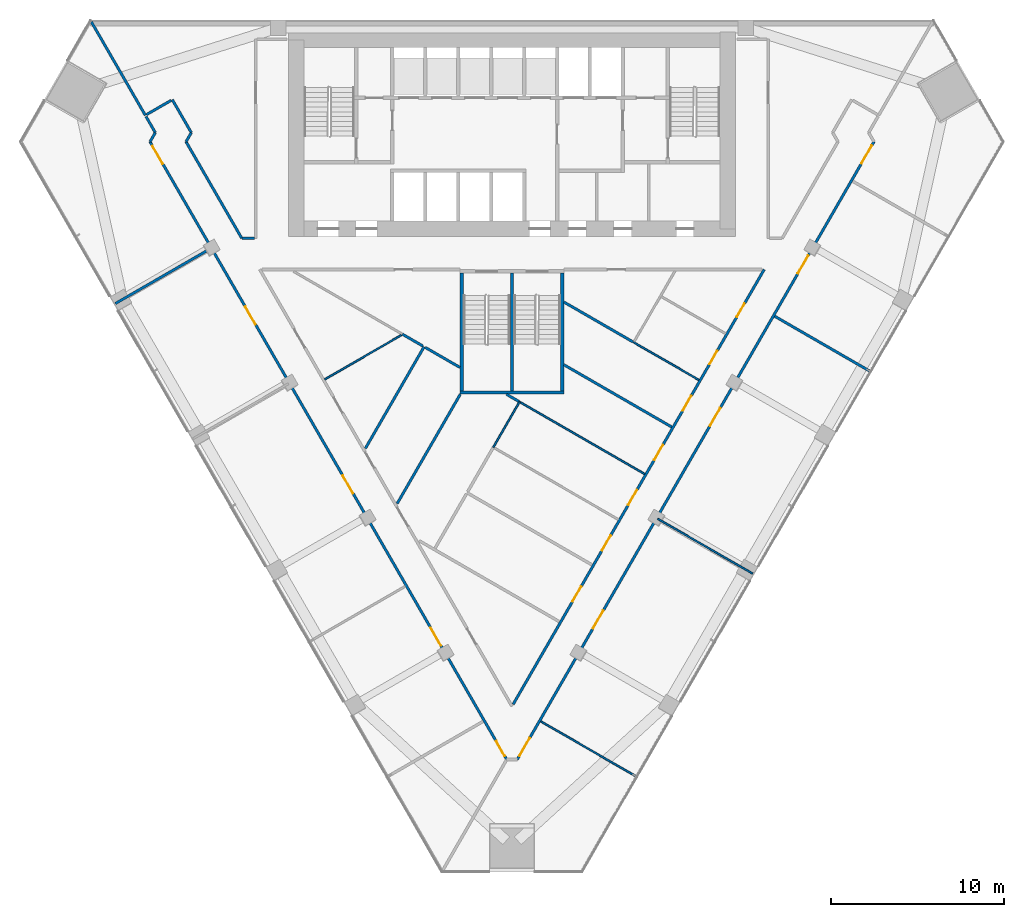
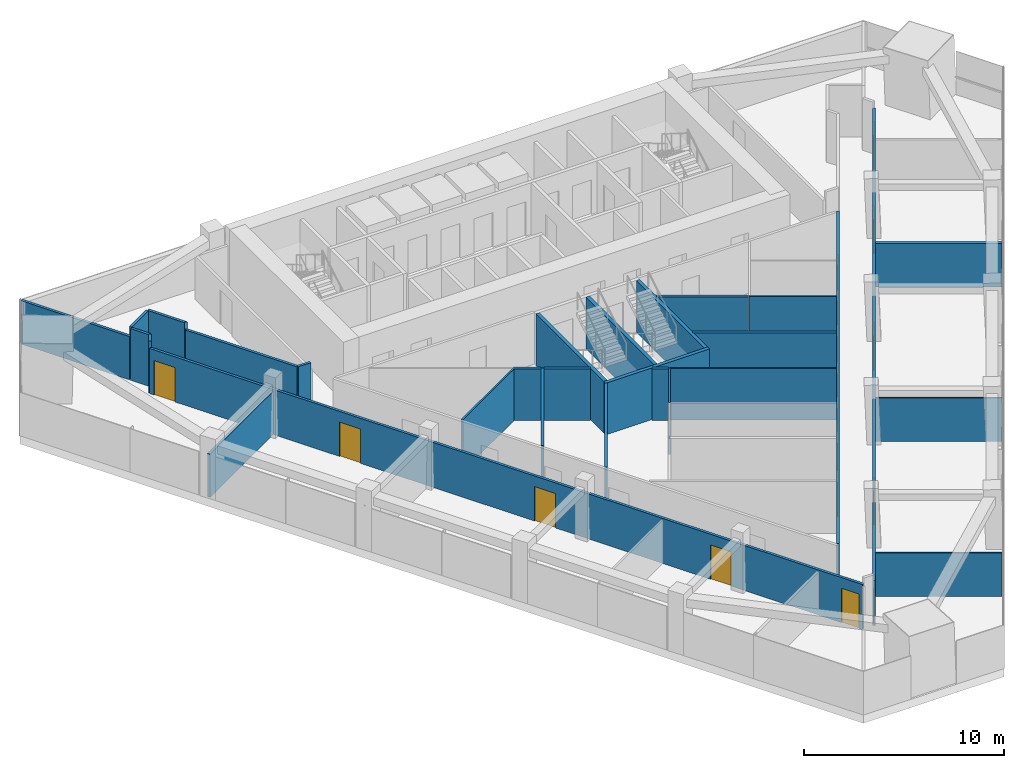
# One storey, part 9 of 14: 30 walls, 17 doors, 17 openings.
"""IFC4 building model written with IfcOpenShell, lengths in metres."""

from ifc_helpers import new_model, si_unit, direction, frame, frame_2d, origin, place, context, subcontext, project, spatial, rectangle, extrude, material, layer, layer_set, type_object, element, fill, save


model = new_model("IFC4")

# Units and contexts
model_context = context("Model", 3, precision=1e-05, world=origin(), true_north=direction((0.0, 1.0)))
body_context = subcontext(model_context, "Body", "Model", "MODEL_VIEW")
ifc_project = project(units=[si_unit("LENGTHUNIT", "METRE"), si_unit("AREAUNIT", "SQUARE_METRE"), si_unit("VOLUMEUNIT", "CUBIC_METRE"), si_unit("PLANEANGLEUNIT", "RADIAN"), si_unit("MASSUNIT", "GRAM", prefix="KILO")], contexts=[model_context])

# Site, building, storey
site_placement = place(None, origin())
site = spatial("IfcSite", under=ifc_project, at=site_placement, CompositionType="ELEMENT")
building_placement = place(site_placement, origin())
building = spatial("IfcBuilding", under=site, at=building_placement, Name="Altiplano Prism Tower", CompositionType="ELEMENT")
storey_placement = place(building_placement, frame((0.0, 0.0, 115.199951171875)))
storey = spatial("IfcBuildingStorey", under=building, at=storey_placement, Name="L29", CompositionType="ELEMENT", Elevation=115.199951171875)

# Walls
ifc_material_1 = material(Name="Plasterboard on steel stud", Category="steel")
ifc_layer_1 = layer(ifc_material_1, 0.10009765625)
ifc_layer_set_1 = layer_set([ifc_layer_1], Name="Plasterboard on steel stud")
wall_type_1 = type_object("IfcWallType", Name="Partition 100 wet", PredefinedType="PARTITIONING", material=ifc_layer_set_1)
wall_1_placement = place(storey_placement, frame((92.010498046875, 86.40380859375, 0.0), z_axis=(0.0, 0.0, 1.0), x_axis=(0.866029912563, -0.499992190486, 0.0)))
element("IfcWall", 1, at=wall_1_placement, inside=storey, type_object=wall_type_1, Name="Partition P03 L29 028", PredefinedType="PARTITIONING", context=body_context, shape_type="SweptSolid", body=[
    extrude(rectangle(XDim=4.361328125, YDim=0.10009765625, at=frame_2d((2.1806640625, 0.0))), origin(), (0.0, 0.0, 1.0), 3.150146484375),
])
wall_2_placement = place(storey_placement, frame((78.6162109375, 86.8115234375, 0.0), z_axis=(0.0, 0.0, 1.0), x_axis=(-0.866025600969, -0.499999658466, 0.0)))
element("IfcWall", 2, at=wall_2_placement, inside=storey, type_object=wall_type_1, Name="Partition P03 L29 031", PredefinedType="PARTITIONING", context=body_context, shape_type="SweptSolid", body=[
    extrude(rectangle(XDim=5.10791015625, YDim=0.10009765625, at=frame_2d((2.553955078125, 0.0))), origin(), (0.0, 0.0, 1.0), 3.150146484375),
])
for number, where, z_axis, x_axis, name in (
    (3, (92.14013671875, 61.35595703125, 0.0), (0.0, 0.0, 1.0), (-0.866032601554, 0.49998753289, 0.0), "Partition P03 L29 039"),
    (4, (98.89013671875, 73.04736328125, 0.0), (0.0, 0.0, 1.0), (-0.866032601554, 0.49998753289, 0.0), "Partition P03 L29 040"),
):
    element("IfcWall", number, at=place(storey_placement, frame(where, z_axis=z_axis, x_axis=x_axis)), inside=storey, type_object=wall_type_1, Name=name, PredefinedType="PARTITIONING", context=body_context, shape_type="SweptSolid", body=[
        extrude(rectangle(XDim=6.324951171875, YDim=0.10009765625, at=frame_2d((3.16259765625, 0.0))), origin(), (0.0, 0.0, 1.0), 2.650146484375),
    ])
wall_3_placement = place(storey_placement, frame((83.922119140625, 80.33740234375, 0.0), z_axis=(0.0, 0.0, 1.0), x_axis=(0.499996899167, 0.866027194044, 0.0)))
element("IfcWall", 5, at=wall_3_placement, inside=storey, type_object=wall_type_1, Name="Partition P03 L29 047", PredefinedType="PARTITIONING", context=body_context, shape_type="SweptSolid", body=[
    extrude(rectangle(XDim=3.02880859375, YDim=0.10009765625, at=frame_2d((1.514404296875, 0.0))), origin(), (0.0, 0.0, 1.0), 3.150146484375),
])
wall_4_placement = place(storey_placement, frame((92.653076171875, 78.794189453125, 0.0), z_axis=(0.0, 0.0, 1.0), x_axis=(-0.866036648346, 0.499980523342, 0.0)))
element("IfcWall", 6, at=wall_4_placement, inside=storey, type_object=wall_type_1, Name="Partition P03 L29 055", PredefinedType="PARTITIONING", context=body_context, shape_type="SweptSolid", body=[
    extrude(rectangle(XDim=8.352783203125, YDim=0.10009765625, at=frame_2d((4.17626953125, 0.0))), origin(), (0.0, 0.0, 1.0), 3.150146484375),
])

# Wall, openings, doors
ifc_layer_2 = layer(ifc_material_1, 0.14990234375)
ifc_layer_set_2 = layer_set([ifc_layer_2], Name="Plasterboard on steel stud")
wall_type_2 = type_object("IfcWallType", Name="Partition 150 corridor", PredefinedType="PARTITIONING", material=ifc_layer_set_2)
wall_5_placement = place(storey_placement, frame((99.5556640625, 90.60009765625, 0.0), z_axis=(0.0, 0.0, 1.0), x_axis=(-0.499996876233, -0.866027207284, 0.0)))
wall_5 = element("IfcWall", 7, at=wall_5_placement, inside=storey, type_object=wall_type_2, Name="Partition P06 L29 001", PredefinedType="PARTITIONING", context=body_context, shape_type="SweptSolid", body=[
    extrude(rectangle(XDim=28.981689453125, YDim=0.14990234375, at=frame_2d((14.49072265625, 0.0))), origin(), (0.0, 0.0, 1.0), 3.150146484375),
])
opening_1_placement = place(wall_5_placement, frame((2.260009765625, 0.0, 0.0)))
opening_1 = element("IfcOpeningElement", 8, at=opening_1_placement, cuts=wall_5, Name="Opening D1045", PredefinedType="OPENING", context=body_context, shape_type="SweptSolid", body=[
    extrude(rectangle(XDim=0.89990234375, YDim=2.10009765625, at=frame_2d((0.449951171875, 1.050048828125))), frame((0.0, 0.08544921875, 0.0), z_axis=(0.0, -1.0, 0.0), x_axis=(1.0, 0.0, 0.0)), (0.0, 0.0, 1.0), 0.1708984375),
])
opening_2_placement = place(wall_5_placement, frame((5.4150390625, 0.0, 0.0)))
opening_2 = element("IfcOpeningElement", 9, at=opening_2_placement, cuts=wall_5, Name="Opening D1046", PredefinedType="OPENING", context=body_context, shape_type="SweptSolid", body=[
    extrude(rectangle(XDim=0.89990234375, YDim=2.10009765625, at=frame_2d((0.449951171875, 1.050048828125))), frame((0.0, 0.08544921875, 0.0), z_axis=(0.0, -1.0, 0.0), x_axis=(1.0, 0.0, 0.0)), (0.0, 0.0, 1.0), 0.1708984375),
])
opening_3_placement = place(wall_5_placement, frame((21.1240234375, 0.0, 0.0)))
opening_3 = element("IfcOpeningElement", 10, at=opening_3_placement, cuts=wall_5, Name="Opening D1061", PredefinedType="OPENING", context=body_context, shape_type="SweptSolid", body=[
    extrude(rectangle(XDim=1.0, YDim=2.10009765625, at=frame_2d((0.5, 1.050048828125))), frame((0.0, 0.08544921875, 0.0), z_axis=(0.0, -1.0, 0.0), x_axis=(1.0, 0.0, 0.0)), (0.0, 0.0, 1.0), 0.1708984375),
])
opening_4_placement = place(wall_5_placement, frame((8.416015625, 0.0, 0.0)))
opening_4 = element("IfcOpeningElement", 11, at=opening_4_placement, cuts=wall_5, Name="Opening D1065", PredefinedType="OPENING", context=body_context, shape_type="SweptSolid", body=[
    extrude(rectangle(XDim=1.0, YDim=2.10009765625, at=frame_2d((0.5, 1.050048828125))), frame((0.0, 0.08544921875, 0.0), z_axis=(0.0, -1.0, 0.0), x_axis=(1.0, 0.0, 0.0)), (0.0, 0.0, 1.0), 0.1708984375),
])
opening_5_placement = place(wall_5_placement, frame((14.68994140625, 0.0, 0.0)))
opening_5 = element("IfcOpeningElement", 12, at=opening_5_placement, cuts=wall_5, Name="Opening D1066", PredefinedType="OPENING", context=body_context, shape_type="SweptSolid", body=[
    extrude(rectangle(XDim=1.0, YDim=2.10009765625, at=frame_2d((0.5, 1.050048828125))), frame((0.0, 0.08544921875, 0.0), z_axis=(0.0, -1.0, 0.0), x_axis=(1.0, 0.0, 0.0)), (0.0, 0.0, 1.0), 0.1708984375),
])
opening_6_placement = place(wall_5_placement, frame((17.718994140625, 0.0, 0.0)))
opening_6 = element("IfcOpeningElement", 13, at=opening_6_placement, cuts=wall_5, Name="Opening D1067", PredefinedType="OPENING", context=body_context, shape_type="SweptSolid", body=[
    extrude(rectangle(XDim=1.0, YDim=2.10009765625, at=frame_2d((0.5, 1.050048828125))), frame((0.0, 0.08544921875, 0.0), z_axis=(0.0, -1.0, 0.0), x_axis=(1.0, 0.0, 0.0)), (0.0, 0.0, 1.0), 0.1708984375),
])
opening_7_placement = place(wall_5_placement, frame((11.68408203125, 0.0, 0.0)))
opening_7 = element("IfcOpeningElement", 14, at=opening_7_placement, cuts=wall_5, Name="Opening D1069", PredefinedType="OPENING", context=body_context, shape_type="SweptSolid", body=[
    extrude(rectangle(XDim=1.0, YDim=2.10009765625, at=frame_2d((0.5, 1.050048828125))), frame((0.0, 0.08544921875, 0.0), z_axis=(0.0, -1.0, 0.0), x_axis=(1.0, 0.0, 0.0)), (0.0, 0.0, 1.0), 0.1708984375),
])
ifc_material_2 = material(Name="Timber", Category="wood")
door_type_1 = type_object("IfcDoorType", Name="Room door 1000 x 2100", OperationType="NOTDEFINED", PredefinedType="NOTDEFINED", material=ifc_material_2)
door_1_placement = place(opening_3_placement, origin())
door_1 = element("IfcDoor", 15, at=door_1_placement, inside=storey, type_object=door_type_1, Name="Door D1061", OperationType="SINGLE_SWING_RIGHT", OverallHeight=2.10009765625, OverallWidth=1.0, PredefinedType="NOTDEFINED", context=body_context, shape_type="SweptSolid", body=[
    extrude(rectangle(XDim=1.0, YDim=2.10009765625, at=frame_2d((0.5, 1.050048828125))), frame((0.0, 0.02490234375, 0.0), z_axis=(0.0, -1.0, 0.0), x_axis=(1.0, 0.0, 0.0)), (0.0, 0.0, 1.0), 0.050048828125),
])
fill(opening_3, door_1)
door_2_placement = place(opening_5_placement, origin())
door_2 = element("IfcDoor", 16, at=door_2_placement, inside=storey, type_object=door_type_1, Name="Door D1066", OperationType="SINGLE_SWING_RIGHT", OverallHeight=2.10009765625, OverallWidth=1.0, PredefinedType="NOTDEFINED", context=body_context, shape_type="SweptSolid", body=[
    extrude(rectangle(XDim=1.0, YDim=2.10009765625, at=frame_2d((0.5, 1.050048828125))), frame((0.0, 0.02490234375, 0.0), z_axis=(0.0, -1.0, 0.0), x_axis=(1.0, 0.0, 0.0)), (0.0, 0.0, 1.0), 0.050048828125),
])
fill(opening_5, door_2)
door_3_placement = place(opening_7_placement, origin())
door_3 = element("IfcDoor", 17, at=door_3_placement, inside=storey, type_object=door_type_1, Name="Door D1069", OperationType="SINGLE_SWING_RIGHT", OverallHeight=2.10009765625, OverallWidth=1.0, PredefinedType="NOTDEFINED", context=body_context, shape_type="SweptSolid", body=[
    extrude(rectangle(XDim=1.0, YDim=2.10009765625, at=frame_2d((0.5, 1.050048828125))), frame((0.0, 0.02490234375, 0.0), z_axis=(0.0, -1.0, 0.0), x_axis=(1.0, 0.0, 0.0)), (0.0, 0.0, 1.0), 0.050048828125),
])
fill(opening_7, door_3)
door_type_2 = type_object("IfcDoorType", Name="Store door 1000 x 2100", OperationType="NOTDEFINED", PredefinedType="NOTDEFINED", material=ifc_material_2)
door_4_placement = place(opening_4_placement, origin())
door_4 = element("IfcDoor", 18, at=door_4_placement, inside=storey, type_object=door_type_2, Name="Door D1065", OperationType="SINGLE_SWING_LEFT", OverallHeight=2.10009765625, OverallWidth=1.0, PredefinedType="NOTDEFINED", context=body_context, shape_type="SweptSolid", body=[
    extrude(rectangle(XDim=1.0, YDim=2.10009765625, at=frame_2d((0.5, 1.050048828125))), frame((0.0, 0.02490234375, 0.0), z_axis=(0.0, -1.0, 0.0), x_axis=(1.0, 0.0, 0.0)), (0.0, 0.0, 1.0), 0.050048828125),
])
fill(opening_4, door_4)
door_5_placement = place(opening_6_placement, origin())
door_5 = element("IfcDoor", 19, at=door_5_placement, inside=storey, type_object=door_type_2, Name="Door D1067", OperationType="SINGLE_SWING_LEFT", OverallHeight=2.10009765625, OverallWidth=1.0, PredefinedType="NOTDEFINED", context=body_context, shape_type="SweptSolid", body=[
    extrude(rectangle(XDim=1.0, YDim=2.10009765625, at=frame_2d((0.5, 1.050048828125))), frame((0.0, 0.02490234375, 0.0), z_axis=(0.0, -1.0, 0.0), x_axis=(1.0, 0.0, 0.0)), (0.0, 0.0, 1.0), 0.050048828125),
])
fill(opening_6, door_5)
door_type_3 = type_object("IfcDoorType", Name="Toilet door 900 x 2100", OperationType="NOTDEFINED", PredefinedType="NOTDEFINED", material=ifc_material_2)
door_6_placement = place(opening_1_placement, origin())
door_6 = element("IfcDoor", 20, at=door_6_placement, inside=storey, type_object=door_type_3, Name="Door D1045", OperationType="SINGLE_SWING_RIGHT", OverallHeight=2.10009765625, OverallWidth=0.89990234375, PredefinedType="NOTDEFINED", context=body_context, shape_type="SweptSolid", body=[
    extrude(rectangle(XDim=0.89990234375, YDim=2.10009765625, at=frame_2d((0.449951171875, 1.050048828125))), frame((0.0, 0.02490234375, 0.0), z_axis=(0.0, -1.0, 0.0), x_axis=(1.0, 0.0, 0.0)), (0.0, 0.0, 1.0), 0.050048828125),
])
fill(opening_1, door_6)
door_7_placement = place(opening_2_placement, origin())
door_7 = element("IfcDoor", 21, at=door_7_placement, inside=storey, type_object=door_type_3, Name="Door D1046", OperationType="SINGLE_SWING_RIGHT", OverallHeight=2.10009765625, OverallWidth=0.89990234375, PredefinedType="NOTDEFINED", context=body_context, shape_type="SweptSolid", body=[
    extrude(rectangle(XDim=0.89990234375, YDim=2.10009765625, at=frame_2d((0.449951171875, 1.050048828125))), frame((0.0, 0.02490234375, 0.0), z_axis=(0.0, -1.0, 0.0), x_axis=(1.0, 0.0, 0.0)), (0.0, 0.0, 1.0), 0.050048828125),
])
fill(opening_2, door_7)

# Walls
wall_6_placement = place(storey_placement, frame((63.87353515625, 99.43505859375, 0.0), z_axis=(0.0, 0.0, 1.0), x_axis=(0.499957341738, -0.866050031143, 0.0)))
element("IfcWall", 22, at=wall_6_placement, inside=storey, type_object=wall_type_2, Name="Partition P06 L29 003", PredefinedType="PARTITIONING", context=body_context, shape_type="SweptSolid", body=[
    extrude(rectangle(XDim=1.07958984375, YDim=0.14990234375, at=frame_2d((0.539794921875, 0.0))), origin(), (0.0, 0.0, 1.0), 3.150146484375),
])
wall_7_placement = place(storey_placement, frame((64.413330078125, 98.5, 0.0), z_axis=(0.0, 0.0, 1.0), x_axis=(-0.499849787464, -0.866112111665, 0.0)))
element("IfcWall", 23, at=wall_7_placement, inside=storey, type_object=wall_type_2, Name="Partition P06 L29 004", PredefinedType="PARTITIONING", context=body_context, shape_type="SweptSolid", body=[
    extrude(rectangle(XDim=0.608642578125, YDim=0.14990234375, at=frame_2d((0.30419921875, 0.0))), origin(), (0.0, 0.0, 1.0), 3.150146484375),
])

# Wall, openings, doors
wall_8_placement = place(storey_placement, frame((64.109130859375, 97.972900390625, 0.0), z_axis=(0.0, 0.0, 1.0), x_axis=(0.499997402089, -0.866026903684, 0.0)))
wall_8 = element("IfcWall", 24, at=wall_8_placement, inside=storey, type_object=wall_type_2, Name="Partition P06 L29 005", PredefinedType="PARTITIONING", context=body_context, shape_type="SweptSolid", body=[
    extrude(rectangle(XDim=41.173095703125, YDim=0.14990234375, at=frame_2d((20.58642578125, 0.0))), origin(), (0.0, 0.0, 1.0), 2.75),
])
opening_8_placement = place(wall_8_placement, frame((0.27294921875, 0.0, 0.0)))
opening_8 = element("IfcOpeningElement", 25, at=opening_8_placement, cuts=wall_8, Name="Opening D1049", PredefinedType="OPENING", context=body_context, shape_type="SweptSolid", body=[
    extrude(rectangle(XDim=1.199951171875, YDim=2.10009765625, at=frame_2d((0.60009765625, 1.050048828125))), frame((0.0, 0.08544921875, 0.0), z_axis=(0.0, -1.0, 0.0), x_axis=(1.0, 0.0, 0.0)), (0.0, 0.0, 1.0), 0.1708984375),
])
opening_9_placement = place(wall_8_placement, frame((10.987060546875, 0.0, 0.0)))
opening_9 = element("IfcOpeningElement", 26, at=opening_9_placement, cuts=wall_8, Name="Opening D1050", PredefinedType="OPENING", context=body_context, shape_type="SweptSolid", body=[
    extrude(rectangle(XDim=1.199951171875, YDim=2.10009765625, at=frame_2d((0.60009765625, 1.050048828125))), frame((0.0, 0.08544921875, 0.0), z_axis=(0.0, -1.0, 0.0), x_axis=(1.0, 0.0, 0.0)), (0.0, 0.0, 1.0), 0.1708984375),
])
opening_10_placement = place(wall_8_placement, frame((22.237060546875, 0.0, 0.0)))
opening_10 = element("IfcOpeningElement", 27, at=opening_10_placement, cuts=wall_8, Name="Opening D1051", PredefinedType="OPENING", context=body_context, shape_type="SweptSolid", body=[
    extrude(rectangle(XDim=1.199951171875, YDim=2.10009765625, at=frame_2d((0.60009765625, 1.050048828125))), frame((0.0, 0.08544921875, 0.0), z_axis=(0.0, -1.0, 0.0), x_axis=(1.0, 0.0, 0.0)), (0.0, 0.0, 1.0), 0.1708984375),
])
opening_11_placement = place(wall_8_placement, frame((32.386962890625, 0.0, 0.0)))
opening_11 = element("IfcOpeningElement", 28, at=opening_11_placement, cuts=wall_8, Name="Opening D1052", PredefinedType="OPENING", context=body_context, shape_type="SweptSolid", body=[
    extrude(rectangle(XDim=1.199951171875, YDim=2.10009765625, at=frame_2d((0.60009765625, 1.050048828125))), frame((0.0, 0.08544921875, 0.0), z_axis=(0.0, -1.0, 0.0), x_axis=(1.0, 0.0, 0.0)), (0.0, 0.0, 1.0), 0.1708984375),
])
opening_12_placement = place(wall_8_placement, frame((39.949951171875, 0.0, 0.0)))
opening_12 = element("IfcOpeningElement", 29, at=opening_12_placement, cuts=wall_8, Name="Opening D1053", PredefinedType="OPENING", context=body_context, shape_type="SweptSolid", body=[
    extrude(rectangle(XDim=1.0, YDim=2.10009765625, at=frame_2d((0.5, 1.050048828125))), frame((0.0, 0.08544921875, 0.0), z_axis=(0.0, -1.0, 0.0), x_axis=(1.0, 0.0, 0.0)), (0.0, 0.0, 1.0), 0.1708984375),
])
door_8_placement = place(opening_12_placement, origin())
door_8 = element("IfcDoor", 30, at=door_8_placement, inside=storey, type_object=door_type_1, Name="Door D1053", OperationType="SINGLE_SWING_LEFT", OverallHeight=2.10009765625, OverallWidth=1.0, PredefinedType="NOTDEFINED", context=body_context, shape_type="SweptSolid", body=[
    extrude(rectangle(XDim=1.0, YDim=2.10009765625, at=frame_2d((0.5, 1.050048828125))), frame((0.0, 0.02490234375, 0.0), z_axis=(0.0, -1.0, 0.0), x_axis=(1.0, 0.0, 0.0)), (0.0, 0.0, 1.0), 0.050048828125),
])
fill(opening_12, door_8)
door_type_4 = type_object("IfcDoorType", Name="Shared room door 1200 x 2100", OperationType="NOTDEFINED", PredefinedType="NOTDEFINED", material=ifc_material_2)
door_9_placement = place(opening_8_placement, origin())
door_9 = element("IfcDoor", 31, at=door_9_placement, inside=storey, type_object=door_type_4, Name="Door D1049", OperationType="SINGLE_SWING_LEFT", OverallHeight=2.10009765625, OverallWidth=1.199951171875, PredefinedType="NOTDEFINED", context=body_context, shape_type="SweptSolid", body=[
    extrude(rectangle(XDim=1.199951171875, YDim=2.10009765625, at=frame_2d((0.60009765625, 1.050048828125))), frame((0.0, 0.02490234375, 0.0), z_axis=(0.0, -1.0, 0.0), x_axis=(1.0, 0.0, 0.0)), (0.0, 0.0, 1.0), 0.050048828125),
])
fill(opening_8, door_9)
door_10_placement = place(opening_9_placement, origin())
door_10 = element("IfcDoor", 32, at=door_10_placement, inside=storey, type_object=door_type_4, Name="Door D1050", OperationType="SINGLE_SWING_RIGHT", OverallHeight=2.10009765625, OverallWidth=1.199951171875, PredefinedType="NOTDEFINED", context=body_context, shape_type="SweptSolid", body=[
    extrude(rectangle(XDim=1.199951171875, YDim=2.10009765625, at=frame_2d((0.60009765625, 1.050048828125))), frame((0.0, 0.02490234375, 0.0), z_axis=(0.0, -1.0, 0.0), x_axis=(1.0, 0.0, 0.0)), (0.0, 0.0, 1.0), 0.050048828125),
])
fill(opening_9, door_10)
door_11_placement = place(opening_10_placement, origin())
door_11 = element("IfcDoor", 33, at=door_11_placement, inside=storey, type_object=door_type_4, Name="Door D1051", OperationType="SINGLE_SWING_RIGHT", OverallHeight=2.10009765625, OverallWidth=1.199951171875, PredefinedType="NOTDEFINED", context=body_context, shape_type="SweptSolid", body=[
    extrude(rectangle(XDim=1.199951171875, YDim=2.10009765625, at=frame_2d((0.60009765625, 1.050048828125))), frame((0.0, 0.02490234375, 0.0), z_axis=(0.0, -1.0, 0.0), x_axis=(1.0, 0.0, 0.0)), (0.0, 0.0, 1.0), 0.050048828125),
])
fill(opening_10, door_11)
door_12_placement = place(opening_11_placement, origin())
door_12 = element("IfcDoor", 34, at=door_12_placement, inside=storey, type_object=door_type_4, Name="Door D1052", OperationType="SINGLE_SWING_RIGHT", OverallHeight=2.10009765625, OverallWidth=1.199951171875, PredefinedType="NOTDEFINED", context=body_context, shape_type="SweptSolid", body=[
    extrude(rectangle(XDim=1.199951171875, YDim=2.10009765625, at=frame_2d((0.60009765625, 1.050048828125))), frame((0.0, 0.02490234375, 0.0), z_axis=(0.0, -1.0, 0.0), x_axis=(1.0, 0.0, 0.0)), (0.0, 0.0, 1.0), 0.050048828125),
])
fill(opening_11, door_12)

wall_9_placement = place(storey_placement, frame((85.304443359375, 62.31591796875, 0.0), z_axis=(0.0, 0.0, 1.0), x_axis=(0.499997402089, 0.866026903684, 0.0)))
wall_9 = element("IfcWall", 35, at=wall_9_placement, inside=storey, type_object=wall_type_2, Name="Partition P06 L29 007", PredefinedType="PARTITIONING", context=body_context, shape_type="SweptSolid", body=[
    extrude(rectangle(XDim=41.173095703125, YDim=0.14990234375, at=frame_2d((20.58642578125, 0.0))), origin(), (0.0, 0.0, 1.0), 2.75),
])
opening_13_placement = place(wall_9_placement, frame((0.248046875, 0.0, 0.0)))
opening_13 = element("IfcOpeningElement", 36, at=opening_13_placement, cuts=wall_9, Name="Opening D1054", PredefinedType="OPENING", context=body_context, shape_type="SweptSolid", body=[
    extrude(rectangle(XDim=1.199951171875, YDim=2.10009765625, at=frame_2d((0.60009765625, 1.050048828125))), frame((0.0, 0.08544921875, 0.0), z_axis=(0.0, -1.0, 0.0), x_axis=(1.0, 0.0, 0.0)), (0.0, 0.0, 1.0), 0.1708984375),
])
opening_14_placement = place(wall_9_placement, frame((8.737060546875, 0.0, 0.0)))
opening_14 = element("IfcOpeningElement", 37, at=opening_14_placement, cuts=wall_9, Name="Opening D1055", PredefinedType="OPENING", context=body_context, shape_type="SweptSolid", body=[
    extrude(rectangle(XDim=1.199951171875, YDim=2.10009765625, at=frame_2d((0.60009765625, 1.050048828125))), frame((0.0, 0.08544921875, 0.0), z_axis=(0.0, -1.0, 0.0), x_axis=(1.0, 0.0, 0.0)), (0.0, 0.0, 1.0), 0.1708984375),
])
opening_15_placement = place(wall_9_placement, frame((22.237060546875, 0.0, 0.0)))
opening_15 = element("IfcOpeningElement", 38, at=opening_15_placement, cuts=wall_9, Name="Opening D1056", PredefinedType="OPENING", context=body_context, shape_type="SweptSolid", body=[
    extrude(rectangle(XDim=1.199951171875, YDim=2.10009765625, at=frame_2d((0.60009765625, 1.050048828125))), frame((0.0, 0.08544921875, 0.0), z_axis=(0.0, -1.0, 0.0), x_axis=(1.0, 0.0, 0.0)), (0.0, 0.0, 1.0), 0.1708984375),
])
opening_16_placement = place(wall_9_placement, frame((32.386962890625, 0.0, 0.0)))
opening_16 = element("IfcOpeningElement", 39, at=opening_16_placement, cuts=wall_9, Name="Opening D1057", PredefinedType="OPENING", context=body_context, shape_type="SweptSolid", body=[
    extrude(rectangle(XDim=1.199951171875, YDim=2.10009765625, at=frame_2d((0.60009765625, 1.050048828125))), frame((0.0, 0.08544921875, 0.0), z_axis=(0.0, -1.0, 0.0), x_axis=(1.0, 0.0, 0.0)), (0.0, 0.0, 1.0), 0.1708984375),
])
opening_17_placement = place(wall_9_placement, frame((39.72509765625, 0.0, 0.0)))
opening_17 = element("IfcOpeningElement", 40, at=opening_17_placement, cuts=wall_9, Name="Opening D1058", PredefinedType="OPENING", context=body_context, shape_type="SweptSolid", body=[
    extrude(rectangle(XDim=1.199951171875, YDim=2.10009765625, at=frame_2d((0.60009765625, 1.050048828125))), frame((0.0, 0.08544921875, 0.0), z_axis=(0.0, -1.0, 0.0), x_axis=(1.0, 0.0, 0.0)), (0.0, 0.0, 1.0), 0.1708984375),
])
door_13_placement = place(opening_13_placement, origin())
door_13 = element("IfcDoor", 41, at=door_13_placement, inside=storey, type_object=door_type_4, Name="Door D1054", OperationType="SINGLE_SWING_RIGHT", OverallHeight=2.10009765625, OverallWidth=1.199951171875, PredefinedType="NOTDEFINED", context=body_context, shape_type="SweptSolid", body=[
    extrude(rectangle(XDim=1.199951171875, YDim=2.10009765625, at=frame_2d((0.60009765625, 1.050048828125))), frame((0.0, 0.02490234375, 0.0), z_axis=(0.0, -1.0, 0.0), x_axis=(1.0, 0.0, 0.0)), (0.0, 0.0, 1.0), 0.050048828125),
])
fill(opening_13, door_13)
door_14_placement = place(opening_14_placement, origin())
door_14 = element("IfcDoor", 42, at=door_14_placement, inside=storey, type_object=door_type_4, Name="Door D1055", OperationType="SINGLE_SWING_LEFT", OverallHeight=2.10009765625, OverallWidth=1.199951171875, PredefinedType="NOTDEFINED", context=body_context, shape_type="SweptSolid", body=[
    extrude(rectangle(XDim=1.199951171875, YDim=2.10009765625, at=frame_2d((0.60009765625, 1.050048828125))), frame((0.0, 0.02490234375, 0.0), z_axis=(0.0, -1.0, 0.0), x_axis=(1.0, 0.0, 0.0)), (0.0, 0.0, 1.0), 0.050048828125),
])
fill(opening_14, door_14)
door_15_placement = place(opening_15_placement, origin())
door_15 = element("IfcDoor", 43, at=door_15_placement, inside=storey, type_object=door_type_4, Name="Door D1056", OperationType="SINGLE_SWING_RIGHT", OverallHeight=2.10009765625, OverallWidth=1.199951171875, PredefinedType="NOTDEFINED", context=body_context, shape_type="SweptSolid", body=[
    extrude(rectangle(XDim=1.199951171875, YDim=2.10009765625, at=frame_2d((0.60009765625, 1.050048828125))), frame((0.0, 0.02490234375, 0.0), z_axis=(0.0, -1.0, 0.0), x_axis=(1.0, 0.0, 0.0)), (0.0, 0.0, 1.0), 0.050048828125),
])
fill(opening_15, door_15)
door_16_placement = place(opening_16_placement, origin())
door_16 = element("IfcDoor", 44, at=door_16_placement, inside=storey, type_object=door_type_4, Name="Door D1057", OperationType="SINGLE_SWING_RIGHT", OverallHeight=2.10009765625, OverallWidth=1.199951171875, PredefinedType="NOTDEFINED", context=body_context, shape_type="SweptSolid", body=[
    extrude(rectangle(XDim=1.199951171875, YDim=2.10009765625, at=frame_2d((0.60009765625, 1.050048828125))), frame((0.0, 0.02490234375, 0.0), z_axis=(0.0, -1.0, 0.0), x_axis=(1.0, 0.0, 0.0)), (0.0, 0.0, 1.0), 0.050048828125),
])
fill(opening_16, door_16)
door_17_placement = place(opening_17_placement, origin())
door_17 = element("IfcDoor", 45, at=door_17_placement, inside=storey, type_object=door_type_4, Name="Door D1058", OperationType="SINGLE_SWING_RIGHT", OverallHeight=2.10009765625, OverallWidth=1.199951171875, PredefinedType="NOTDEFINED", context=body_context, shape_type="SweptSolid", body=[
    extrude(rectangle(XDim=1.199951171875, YDim=2.10009765625, at=frame_2d((0.60009765625, 1.050048828125))), frame((0.0, 0.02490234375, 0.0), z_axis=(0.0, -1.0, 0.0), x_axis=(1.0, 0.0, 0.0)), (0.0, 0.0, 1.0), 0.050048828125),
])
fill(opening_17, door_17)

# Walls
wall_10_placement = place(storey_placement, frame((70.125, 92.39990234375, 0.0), z_axis=(0.0, 0.0, 1.0), x_axis=(-1.0, 0.0, 0.0)))
element("IfcWall", 46, at=wall_10_placement, inside=storey, type_object=wall_type_2, Name="Partition P06 L29 019", PredefinedType="PARTITIONING", context=body_context, shape_type="SweptSolid", body=[
    extrude(rectangle(XDim=0.719970703125, YDim=0.14990234375, at=frame_2d((0.35986328125, 0.0))), origin(), (0.0, 0.0, 1.0), 3.150146484375),
])
wall_11_placement = place(storey_placement, frame((69.405029296875, 92.39990234375, 0.0), z_axis=(0.0, 0.0, 1.0), x_axis=(-0.499995032058, 0.866028272008, 0.0)))
element("IfcWall", 47, at=wall_11_placement, inside=storey, type_object=wall_type_2, Name="Partition P06 L29 020", PredefinedType="PARTITIONING", context=body_context, shape_type="SweptSolid", body=[
    extrude(rectangle(XDim=6.43505859375, YDim=0.14990234375, at=frame_2d((3.217529296875, 0.0))), origin(), (0.0, 0.0, 1.0), 3.150146484375),
])
wall_12_placement = place(storey_placement, frame((66.1875, 97.972900390625, 0.0), z_axis=(0.0, 0.0, 1.0), x_axis=(0.50015062987, 0.86593842012, 0.0)))
element("IfcWall", 48, at=wall_12_placement, inside=storey, type_object=wall_type_2, Name="Partition P06 L29 021", PredefinedType="PARTITIONING", context=body_context, shape_type="SweptSolid", body=[
    extrude(rectangle(XDim=0.608642578125, YDim=0.14990234375, at=frame_2d((0.30419921875, 0.0))), origin(), (0.0, 0.0, 1.0), 3.150146484375),
])
wall_13_placement = place(storey_placement, frame((66.491943359375, 98.5, 0.0), z_axis=(0.0, 0.0, 1.0), x_axis=(-0.500005024956, 0.866022502605, 0.0)))
element("IfcWall", 49, at=wall_13_placement, inside=storey, type_object=wall_type_2, Name="Partition P06 L29 022", PredefinedType="PARTITIONING", context=body_context, shape_type="SweptSolid", body=[
    extrude(rectangle(XDim=2.19384765625, YDim=0.14990234375, at=frame_2d((1.096923828125, 0.0))), origin(), (0.0, 0.0, 1.0), 3.150146484375),
])
wall_14_placement = place(storey_placement, frame((65.330078125, 100.362548828125, 0.0), z_axis=(0.0, 0.0, 1.0), x_axis=(-0.866040211805, -0.499974350878, 0.0)))
element("IfcWall", 50, at=wall_14_placement, inside=storey, type_object=wall_type_2, Name="Partition P06 L29 023", PredefinedType="PARTITIONING", context=body_context, shape_type="SweptSolid", body=[
    extrude(rectangle(XDim=1.64990234375, YDim=0.14990234375, at=frame_2d((0.824951171875, 0.0))), origin(), (0.0, 0.0, 1.0), 3.150146484375),
])
ifc_layer_3 = layer(ifc_material_1, 0.14990234375)
ifc_layer_set_3 = layer_set([ifc_layer_3], Name="Plasterboard on steel stud")
wall_type_3 = type_object("IfcWallType", Name="Partition 150 party", PredefinedType="PARTITIONING", material=ifc_layer_set_3)
wall_15_placement = place(storey_placement, frame((79.861328125, 86.179443359375, 0.0), z_axis=(0.0, 0.0, 1.0), x_axis=(-0.866070215109, 0.499922376475, 0.0)))
element("IfcWall", 51, at=wall_15_placement, inside=storey, type_object=wall_type_3, Name="Partition P01 L29 029", PredefinedType="PARTITIONING", context=body_context, shape_type="SweptSolid", body=[
    extrude(rectangle(XDim=1.374267578125, YDim=0.14990234375, at=frame_2d((0.68701171875, 0.0))), origin(), (0.0, 0.0, 1.0), 3.150146484375),
])
wall_16_placement = place(storey_placement, frame((76.537109375, 80.271728515625, 0.0), z_axis=(0.0, 0.0, 1.0), x_axis=(0.500005136037, 0.866022438472, 0.0)))
element("IfcWall", 52, at=wall_16_placement, inside=storey, type_object=wall_type_3, Name="Partition P01 L29 030", PredefinedType="PARTITIONING", context=body_context, shape_type="SweptSolid", body=[
    extrude(rectangle(XDim=6.7783203125, YDim=0.14990234375, at=frame_2d((3.38916015625, 0.0))), origin(), (0.0, 0.0, 1.0), 3.150146484375),
])
wall_17_placement = place(storey_placement, frame((88.0, 88.71923828125, 0.0), z_axis=(0.0, 0.0, 1.0), x_axis=(0.866046857706, -0.499962838877, 0.0)))
element("IfcWall", 53, at=wall_17_placement, inside=storey, type_object=wall_type_3, Name="Partition P01 L29 032", PredefinedType="PARTITIONING", context=body_context, shape_type="SweptSolid", body=[
    extrude(rectangle(XDim=4.600830078125, YDim=0.14990234375, at=frame_2d((2.30029296875, 0.0))), origin(), (0.0, 0.0, 1.0), 3.150146484375),
])
wall_18_placement = place(storey_placement, frame((62.10986328125, 88.6357421875, 0.0), z_axis=(0.0, 0.0, 1.0), x_axis=(0.866015887322, 0.500016482634, 0.0)))
element("IfcWall", 54, at=wall_18_placement, inside=storey, type_object=wall_type_3, Name="Partition P01 L29 033", PredefinedType="PARTITIONING", context=body_context, shape_type="SweptSolid", body=[
    extrude(rectangle(XDim=6.324951171875, YDim=0.14990234375, at=frame_2d((3.16259765625, 0.0))), origin(), (0.0, 0.0, 1.0), 2.650146484375),
])
wall_19_placement = place(storey_placement, frame((63.836181640625, 99.5, 0.0), z_axis=(0.0, 0.0, 1.0), x_axis=(-0.500004896655, 0.866022576681, 0.0)))
element("IfcWall", 55, at=wall_19_placement, inside=storey, type_object=wall_type_3, Name="Partition P01 L29 034", PredefinedType="PARTITIONING", context=body_context, shape_type="SweptSolid", body=[
    extrude(rectangle(XDim=6.2353515625, YDim=0.14990234375, at=frame_2d((3.11767578125, 0.0))), origin(), (0.0, 0.0, 1.0), 2.650146484375),
])
wall_20_placement = place(storey_placement, frame((105.64013671875, 84.738525390625, 0.0), z_axis=(0.0, 0.0, 1.0), x_axis=(-0.866015887322, 0.500016482634, 0.0)))
element("IfcWall", 56, at=wall_20_placement, inside=storey, type_object=wall_type_3, Name="Partition P01 L29 041", PredefinedType="PARTITIONING", context=body_context, shape_type="SweptSolid", body=[
    extrude(rectangle(XDim=6.324951171875, YDim=0.14990234375, at=frame_2d((3.16259765625, 0.0))), origin(), (0.0, 0.0, 1.0), 2.650146484375),
])
wall_21_placement = place(storey_placement, frame((82.016845703125, 83.39990234375, 0.0), z_axis=(0.0, 0.0, 1.0), x_axis=(-0.499998985737, -0.866025989369, 0.0)))
element("IfcWall", 57, at=wall_21_placement, inside=storey, type_object=wall_type_3, Name="Partition P01 L29 049", PredefinedType="PARTITIONING", context=body_context, shape_type="SweptSolid", body=[
    extrude(rectangle(XDim=7.28564453125, YDim=0.14990234375, at=frame_2d((3.642822265625, 0.0))), origin(), (0.0, 0.0, 1.0), 3.150146484375),
])
wall_22_placement = place(storey_placement, frame((85.393310546875, 82.985595703125, 0.0), z_axis=(0.0, 0.0, 1.0), x_axis=(-0.866151262745, 0.499781942495, 0.0)))
element("IfcWall", 58, at=wall_22_placement, inside=storey, type_object=wall_type_3, Name="Partition P01 L29 050", PredefinedType="PARTITIONING", context=body_context, shape_type="SweptSolid", body=[
    extrude(rectangle(XDim=0.828857421875, YDim=0.14990234375, at=frame_2d((0.41455078125, 0.0))), origin(), (0.0, 0.0, 1.0), 3.150146484375),
])
wall_23_placement = place(storey_placement, frame((79.9912109375, 86.1044921875, 0.0), z_axis=(0.0, 0.0, 1.0), x_axis=(0.865999790327, -0.500044361186, 0.0)))
element("IfcWall", 59, at=wall_23_placement, inside=storey, type_object=wall_type_3, Name="Partition P01 L29 051", PredefinedType="PARTITIONING", context=body_context, shape_type="SweptSolid", body=[
    extrude(rectangle(XDim=2.319580078125, YDim=0.14990234375, at=frame_2d((1.15966796875, 0.0))), origin(), (0.0, 0.0, 1.0), 3.150146484375),
])
wall_24_placement = place(storey_placement, frame((88.0, 85.099853515625, 0.0), z_axis=(0.0, 0.0, 1.0), x_axis=(0.86602143209, -0.500006879113, 0.0)))
element("IfcWall", 60, at=wall_24_placement, inside=storey, type_object=wall_type_3, Name="Partition P01 L29 053", PredefinedType="PARTITIONING", context=body_context, shape_type="SweptSolid", body=[
    extrude(rectangle(XDim=7.1826171875, YDim=0.14990234375, at=frame_2d((3.59130859375, 0.0))), origin(), (0.0, 0.0, 1.0), 3.150146484375),
])
ifc_material_3 = material(Name="Concrete C60/75", Category="concrete")
ifc_layer_4 = layer(ifc_material_3, 0.199951171875)
ifc_layer_set_4 = layer_set([ifc_layer_4], Name="Concrete C60/75")
wall_type_4 = type_object("IfcWallType", Name="Stair wall 200", PredefinedType="SOLIDWALL", material=ifc_layer_set_4)
wall_25_placement = place(storey_placement, frame((82.0, 83.5, 0.0), z_axis=(0.0, 0.0, 1.0), x_axis=(1.0, 0.0, 0.0)))
element("IfcWall", 61, at=wall_25_placement, inside=storey, type_object=wall_type_4, Name="Stair 3 wall south L29", PredefinedType="SOLIDWALL", context=body_context, shape_type="SweptSolid", body=[
    extrude(rectangle(XDim=6.0, YDim=0.199951171875, at=frame_2d((3.0, 0.0))), origin(), (0.0, 0.0, 1.0), 3.150146484375),
])
for number, where, z_axis, x_axis, name in (
    (62, (82.10009765625, 83.60009765625, 0.0), (0.0, 0.0, 1.0), (0.0, 1.0, 0.0), "Stair 3 wall west L29"),
    (63, (87.89990234375, 83.60009765625, 0.0), (0.0, 0.0, 1.0), (0.0, 1.0, 0.0), "Stair 3 wall east L29"),
    (64, (85.0, 83.60009765625, 0.0), (0.0, 0.0, 1.0), (0.0, 1.0, 0.0), "Stair 3 wall divider L29"),
):
    element("IfcWall", number, at=place(storey_placement, frame(where, z_axis=z_axis, x_axis=x_axis)), inside=storey, type_object=wall_type_4, Name=name, PredefinedType="SOLIDWALL", context=body_context, shape_type="SweptSolid", body=[
        extrude(rectangle(XDim=6.7998046875, YDim=0.199951171875, at=frame_2d((3.39990234375, 0.0))), origin(), (0.0, 0.0, 1.0), 3.150146484375),
    ])

save(model, "model.ifc")
